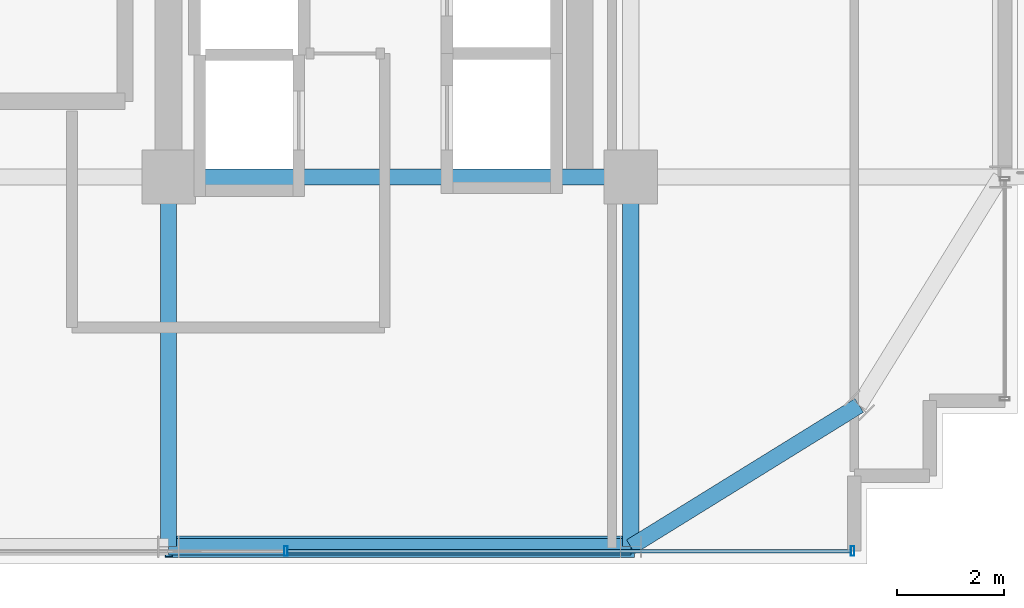
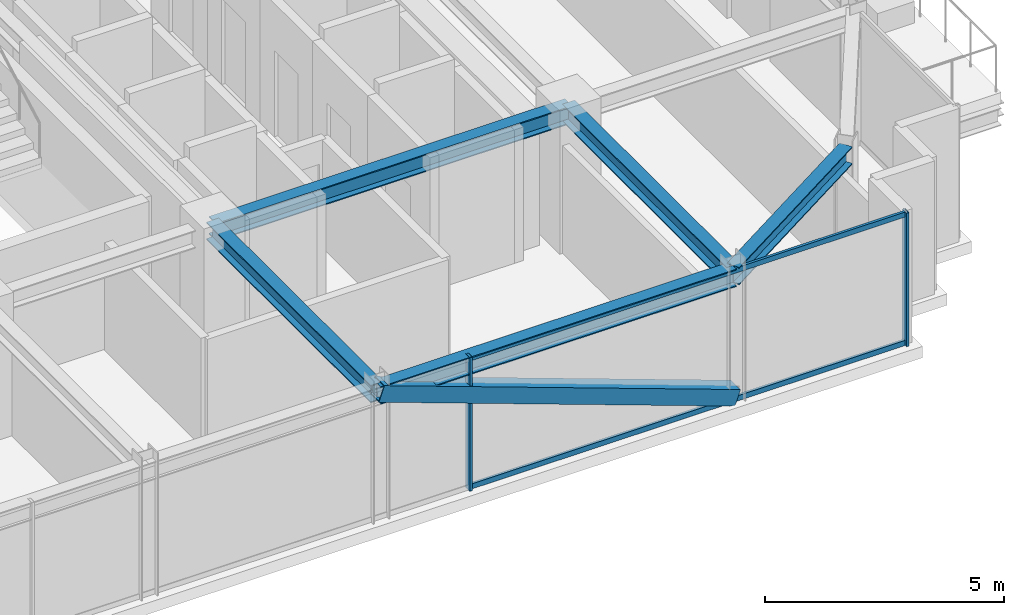
# One storey, part 12 of 36: 5 beams, 5 members, 1 element without a shape of its own.
"""IFC4 building model written with IfcOpenShell, lengths in metres."""

from ifc_helpers import new_model, si_unit, direction, frame, origin, origin_2d, place, context, subcontext, project, spatial, hollow_rectangle, i_section, extrude, source, transform, mapped, material, material_profile, profile_set, type_object, element, aggregate, save


model = new_model("IFC4")

# Units and contexts
model_context = context("Model", 3, precision=1e-05, world=origin(), true_north=direction((0.0, 1.0)))
body_context = subcontext(model_context, "Body", "Model", "MODEL_VIEW")
ifc_project = project(units=[si_unit("LENGTHUNIT", "METRE"), si_unit("AREAUNIT", "SQUARE_METRE"), si_unit("VOLUMEUNIT", "CUBIC_METRE"), si_unit("PLANEANGLEUNIT", "RADIAN"), si_unit("MASSUNIT", "GRAM", prefix="KILO")], contexts=[model_context])

# Site, building, storey
site_placement = place(None, origin())
site = spatial("IfcSite", under=ifc_project, at=site_placement, CompositionType="ELEMENT")
building_placement = place(site_placement, origin())
building = spatial("IfcBuilding", under=site, at=building_placement, Name="Nahalor Promenade Grand Hotel", CompositionType="ELEMENT")
storey_placement = place(building_placement, frame((0.0, 0.0, 234.5)))
storey = spatial("IfcBuildingStorey", under=building, at=storey_placement, Name="L60", CompositionType="ELEMENT", Elevation=234.5)

# Beams
ifc_material_1 = material(Name="Steel S355JR", Category="steel")
ifc_material_profile_1 = material_profile(ifc_material_1, i_section(OverallWidth=0.3, OverallDepth=0.45, WebThickness=0.014, FlangeThickness=0.026, at=origin_2d()), Name="HEB 450")
ifc_profile_set_1 = profile_set([ifc_material_profile_1], Name="Steel S355JR")
beam_type_1 = type_object("IfcBeamType", Name="Beam-Spandrel-HEB450", PredefinedType="SPANDREL", material=ifc_profile_set_1)
shared_shape_1 = source(origin(), body_context, "Body", "SweptSolid", [
    extrude(i_section(OverallWidth=0.3, OverallDepth=0.45, WebThickness=0.014, FlangeThickness=0.026, at=origin_2d()), origin(), (0.0, 0.0, 1.0), 8.60009765625),
])
beam_1_placement = place(storey_placement, frame((8.39990234375, -23.8798828125, 3.18505859375), z_axis=(1.0, 0.0, 0.0), x_axis=(0.0, 1.0, 0.0)))
element("IfcBeam", 1, at=beam_1_placement, inside=storey, type_object=beam_type_1, Name="BM-L60-SP-S-4", PredefinedType="SPANDREL", context=body_context, shape_type="MappedRepresentation", body=[
    mapped(shared_shape_1, transform((0.0, 0.0, 0.0), scale=1.0)),
])
shared_shape_2 = source(origin(), body_context, "Body", "SweptSolid", [
    extrude(i_section(OverallWidth=0.3, OverallDepth=0.45, WebThickness=0.014, FlangeThickness=0.026, at=origin_2d()), origin(), (0.0, 0.0, 1.0), 4.997802734375),
])
beam_2_placement = place(storey_placement, frame((17.0, -23.8798828125, 3.18505859375), z_axis=(0.850360908404, 0.526199891161, 0.0), x_axis=(-0.526199891161, 0.850360908404, 0.0)))
element("IfcBeam", 2, at=beam_2_placement, inside=storey, type_object=beam_type_1, Name="BM-L60-SPC-SE-1", PredefinedType="SPANDREL", context=body_context, shape_type="MappedRepresentation", body=[
    mapped(shared_shape_2, transform((0.0, 0.0, 0.0), scale=1.0)),
])
ifc_material_profile_2 = material_profile(ifc_material_1, i_section(OverallWidth=0.3, OverallDepth=0.45, WebThickness=0.014, FlangeThickness=0.026, at=origin_2d()), Name="HEB 450")
ifc_profile_set_2 = profile_set([ifc_material_profile_2], Name="Steel S355JR")
beam_type_2 = type_object("IfcBeamType", Name="Beam-Girder-HEB450", PredefinedType="BEAM", material=ifc_profile_set_2)
shared_shape_3 = source(origin(), body_context, "Body", "SweptSolid", [
    extrude(i_section(OverallWidth=0.3, OverallDepth=0.45, WebThickness=0.014, FlangeThickness=0.026, at=origin_2d()), origin(), (0.0, 0.0, 1.0), 6.8798828125),
])
for number, where, z_axis, x_axis, name in (
    (3, (8.39990234375, -23.8798828125, 3.18505859375), (0.0, 1.0, 0.0), (-1.0, 0.0, 0.0), "BM-L60-GY-4-0"),
    (4, (17.0, -23.8798828125, 3.18505859375), (0.0, 1.0, 0.0), (-1.0, 0.0, 0.0), "BM-L60-GY-5-0"),
):
    element("IfcBeam", number, at=place(storey_placement, frame(where, z_axis=z_axis, x_axis=x_axis)), inside=storey, type_object=beam_type_2, Name=name, PredefinedType="BEAM", context=body_context, shape_type="MappedRepresentation", body=[
        mapped(shared_shape_3, transform((0.0, 0.0, 0.0), scale=1.0)),
    ])
shared_shape_4 = source(origin(), body_context, "Body", "SweptSolid", [
    extrude(i_section(OverallWidth=0.3, OverallDepth=0.45, WebThickness=0.014, FlangeThickness=0.026, at=origin_2d()), origin(), (0.0, 0.0, 1.0), 8.60009765625),
])
beam_3_placement = place(storey_placement, frame((8.39990234375, -17.0, 3.18505859375), z_axis=(1.0, 0.0, 0.0), x_axis=(0.0, 1.0, 0.0)))
element("IfcBeam", 5, at=beam_3_placement, inside=storey, type_object=beam_type_2, Name="BM-L60-GX-0-5", PredefinedType="BEAM", context=body_context, shape_type="MappedRepresentation", body=[
    mapped(shared_shape_4, transform((0.0, 0.0, 0.0), scale=1.0)),
])

# Member
ifc_material_profile_3 = material_profile(ifc_material_1, hollow_rectangle(XDim=0.4, YDim=0.4, WallThickness=0.022, at=origin_2d()), Name="SHS 400x400x22")
ifc_profile_set_3 = profile_set([ifc_material_profile_3], Name="Steel S355JR")
member_type_1 = type_object("IfcMemberType", Name="Mem-ExoBrace-SHS400", PredefinedType="BRACE", material=ifc_profile_set_3)
shared_shape_5 = source(origin(), body_context, "Body", "SweptSolid", [
    extrude(hollow_rectangle(XDim=0.4, YDim=0.4, WallThickness=0.022, at=origin_2d()), origin(), (0.0, 0.0, 1.0), 9.145263671875),
])
member_1_placement = place(storey_placement, frame((17.0, -23.8798828125, 0.14990234375), z_axis=(-0.940396027132, 0.0, 0.340081331676), x_axis=(0.0, -1.0, 0.0)))
element("IfcMember", 6, at=member_1_placement, inside=storey, type_object=member_type_1, Name="EXO-L60-S-1", PredefinedType="BRACE", context=body_context, shape_type="MappedRepresentation", body=[
    mapped(shared_shape_5, transform((0.0, 0.0, 0.0), scale=1.0)),
])

# Curtain wall, members
ifc_material_2 = material(Name="Anodised Bronze Aluminium EN AW-6063 T6", Category="aluminium")
curtain_wall_type = type_object("IfcCurtainWallType", Name="CW2 Typical Hotel Flush Bronze Unitised Curtain Wall", PredefinedType="USERDEFINED", material=ifc_material_2)
curtain_wall_placement = place(storey_placement, origin())
curtain_wall = element("IfcCurtainWall", 7, at=curtain_wall_placement, inside=storey, type_object=curtain_wall_type, Name="L60 Curtain Wall CW-L60-S-1", ObjectType="UNITISED_CURTAIN_WALL", PredefinedType="USERDEFINED")
ifc_material_profile_4 = material_profile(ifc_material_2, hollow_rectangle(XDim=0.065, YDim=0.13, WallThickness=0.004, at=origin_2d()), Name="CWT 65x130x4")
ifc_profile_set_4 = profile_set([ifc_material_profile_4], Name="Anodised Bronze Aluminium EN AW-6063 T6")
member_type_2 = type_object("IfcMemberType", Name="CWT2 Typical Bronze Transom 65x130", PredefinedType="USERDEFINED", material=ifc_profile_set_4)
shared_shape_6 = source(origin(), body_context, "Body", "SweptSolid", [
    extrude(hollow_rectangle(XDim=0.065, YDim=0.13, WallThickness=0.004, at=origin_2d()), origin(), (0.0, 0.0, 1.0), 10.482421875),
])
member_2_placement = place(storey_placement, frame((10.612548828125, -23.9599609375, 0.06494140625), z_axis=(1.0, 0.0, 0.0), x_axis=(0.0, 1.0, 0.0)))
member_2 = element("IfcMember", 8, at=member_2_placement, type_object=member_type_2, Name="CW-L60-S-1 Transom 3-0", ObjectType="TRANSOM", PredefinedType="USERDEFINED", context=body_context, shape_type="MappedRepresentation", body=[
    mapped(shared_shape_6, transform((0.0, 0.0, 0.0), scale=1.0)),
])
member_3_placement = place(storey_placement, frame((10.612548828125, -23.9599609375, 3.344970703125), z_axis=(1.0, 0.0, 0.0), x_axis=(0.0, 1.0, 0.0)))
member_3 = element("IfcMember", 9, at=member_3_placement, type_object=member_type_2, Name="CW-L60-S-1 Transom 3-1", ObjectType="TRANSOM", PredefinedType="USERDEFINED", context=body_context, shape_type="MappedRepresentation", body=[
    mapped(shared_shape_6, transform((0.0, 0.0, 0.0), scale=1.0)),
])
ifc_material_profile_5 = material_profile(ifc_material_2, hollow_rectangle(XDim=0.065, YDim=0.18, WallThickness=0.004, at=origin_2d()), Name="CWM 65x180x4")
ifc_profile_set_5 = profile_set([ifc_material_profile_5], Name="Anodised Bronze Aluminium EN AW-6063 T6")
member_type_3 = type_object("IfcMemberType", Name="CWM2 Typical Bronze Mullion 65x180", PredefinedType="MULLION", material=ifc_profile_set_5)
shared_shape_7 = source(origin(), body_context, "Body", "SweptSolid", [
    extrude(hollow_rectangle(XDim=0.065, YDim=0.18, WallThickness=0.004, at=origin_2d()), origin(), (0.0, 0.0, 1.0), 3.409912109375),
])
member_4_placement = place(storey_placement, frame((10.580078125, -23.9599609375, 0.0), z_axis=(0.0, 0.0, 1.0), x_axis=(1.0, 0.0, 0.0)))
member_4 = element("IfcMember", 10, at=member_4_placement, type_object=member_type_3, Name="CW-L60-S-1 Mullion 3", PredefinedType="MULLION", context=body_context, shape_type="MappedRepresentation", body=[
    mapped(shared_shape_7, transform((0.0, 0.0, 0.0), scale=1.0)),
])
member_5_placement = place(storey_placement, frame((21.12744140625, -23.9599609375, 0.0), z_axis=(0.0, 0.0, 1.0), x_axis=(1.0, 0.0, 0.0)))
member_5 = element("IfcMember", 11, at=member_5_placement, type_object=member_type_3, Name="CW-L60-S-1 Mullion 4", PredefinedType="MULLION", context=body_context, shape_type="MappedRepresentation", body=[
    mapped(shared_shape_7, transform((0.0, 0.0, 0.0), scale=1.0)),
])
aggregate(curtain_wall, [member_4, member_5, member_2, member_3])

save(model, "model.ifc")
